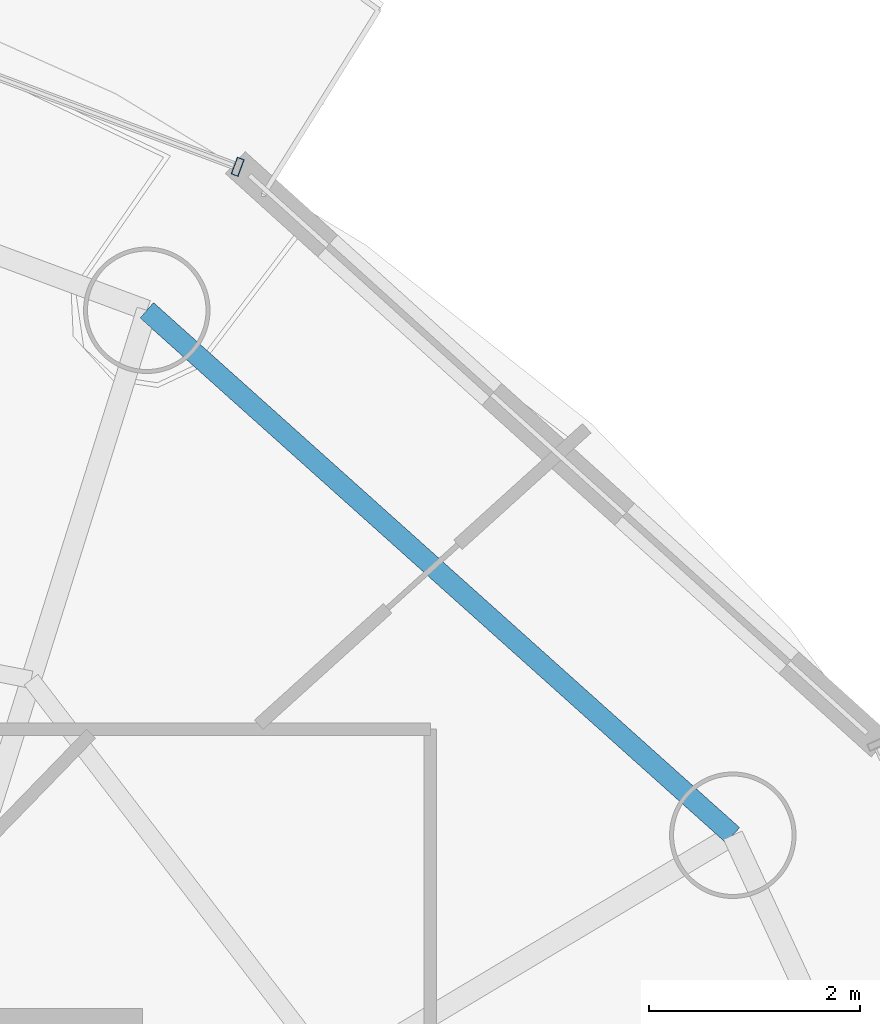
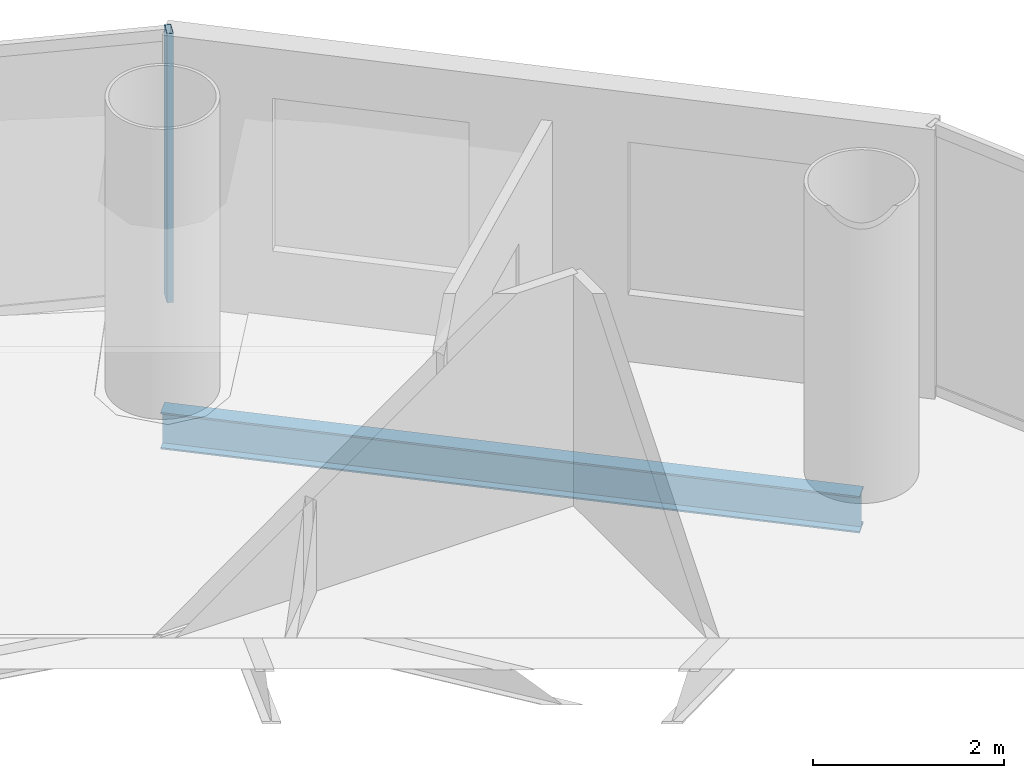
# One storey, part 18 of 26: 1 beam, 1 member, 1 element without a shape of its own.
"""IFC4 building model written with IfcOpenShell, lengths in metres."""

from ifc_helpers import new_model, si_unit, direction, frame, origin, origin_2d, place, context, subcontext, project, spatial, hollow_rectangle, i_section, extrude, source, transform, mapped, material, material_profile, profile_set, type_object, element, aggregate, save


model = new_model("IFC4")

# Units and contexts
model_context = context("Model", 3, precision=1e-05, world=origin(), true_north=direction((-0.2419218956, 0.970295726276)))
body_context = subcontext(model_context, "Body", "Model", "MODEL_VIEW")
ifc_project = project(units=[si_unit("LENGTHUNIT", "METRE"), si_unit("AREAUNIT", "SQUARE_METRE"), si_unit("VOLUMEUNIT", "CUBIC_METRE"), si_unit("PLANEANGLEUNIT", "RADIAN"), si_unit("MASSUNIT", "GRAM", prefix="KILO")], contexts=[model_context])

# Site, building, storey
site_placement = place(None, origin())
site = spatial("IfcSite", under=ifc_project, at=site_placement, CompositionType="ELEMENT")
building_placement = place(site_placement, origin())
building = spatial("IfcBuilding", under=site, at=building_placement, Name="Cobrevalo Terracotta Tower", CompositionType="ELEMENT")
storey_placement = place(building_placement, frame((0.0, 0.0, 228.199951171875)))
storey = spatial("IfcBuildingStorey", under=building, at=storey_placement, Name="L60", CompositionType="ELEMENT", Elevation=228.199951171875)

# Beam
ifc_material_1 = material(Name="Steel S355", Category="steel")
ifc_material_profile_1 = material_profile(ifc_material_1, i_section(OverallWidth=0.194091796875, OverallDepth=0.468994140625, WebThickness=0.011474609375, FlangeThickness=0.0205078125, at=origin_2d()), Name="W 460x106")
ifc_profile_set_1 = profile_set([ifc_material_profile_1], Name="Steel S355")
beam_type = type_object("IfcBeamType", Name="Structural Spandrel W 460x106 (Steel S355)", PredefinedType="SPANDREL", material=ifc_profile_set_1)
beam_placement = place(storey_placement, frame((54.754150390625, 36.828125, -0.49951171875), z_axis=(-0.744851930997, 0.667229796165, 0.0), x_axis=(-0.667229796165, -0.744851930997, 0.0)))
element("IfcBeam", 1, at=beam_placement, inside=storey, type_object=beam_type, Name="L60 perimeter ring spandrel 02", PredefinedType="SPANDREL", context=body_context, shape_type="SweptSolid", body=[
    extrude(i_section(OverallWidth=0.194091796875, OverallDepth=0.468994140625, WebThickness=0.011474609375, FlangeThickness=0.0205078125, at=origin_2d()), origin(), (0.0, 0.0, 1.0), 7.463623046875),
])

# Curtain wall, member
ifc_material_2 = material(Name="Anodized aluminium", Category="aluminium")
curtain_wall_type = type_object("IfcCurtainWallType", Name="Mid-tower high-wind unitised curtain wall CW-U2", PredefinedType="NOTDEFINED", material=ifc_material_2)
curtain_wall_placement = place(storey_placement, origin())
curtain_wall = element("IfcCurtainWall", 2, at=curtain_wall_placement, inside=storey, type_object=curtain_wall_type, Name="L60 curtain wall CW-L60-S03", PredefinedType="NOTDEFINED")
ifc_material_profile_2 = material_profile(ifc_material_2, hollow_rectangle(XDim=0.070068359375, YDim=0.169921875, WallThickness=0.00439453125, at=origin_2d()), Name="CWM 70x170")
ifc_profile_set_2 = profile_set([ifc_material_profile_2], Name="Anodized aluminium")
member_type = type_object("IfcMemberType", Name="Upper tower unitised mullion 70x170", PredefinedType="MULLION", material=ifc_profile_set_2)
shared_shape = source(origin(), body_context, "Body", "SweptSolid", [
    extrude(hollow_rectangle(XDim=0.070068359375, YDim=0.169921875, WallThickness=0.00439453125, at=origin_2d()), origin(), (0.0, 0.0, 1.0), 3.43505859375),
])
member_placement = place(storey_placement, frame((50.057373046875, 43.1689453125, 0.0), z_axis=(0.0, 0.0, 1.0), x_axis=(-0.936556004584, 0.350517974259, 0.0)))
member = element("IfcMember", 3, at=member_placement, type_object=member_type, Name="CW-L60-S03 vertical mullion 01", PredefinedType="MULLION", context=body_context, shape_type="MappedRepresentation", body=[
    mapped(shared_shape, transform((0.0, 0.0, 0.0), scale=1.0)),
])
aggregate(curtain_wall, [member])

save(model, "model.ifc")
